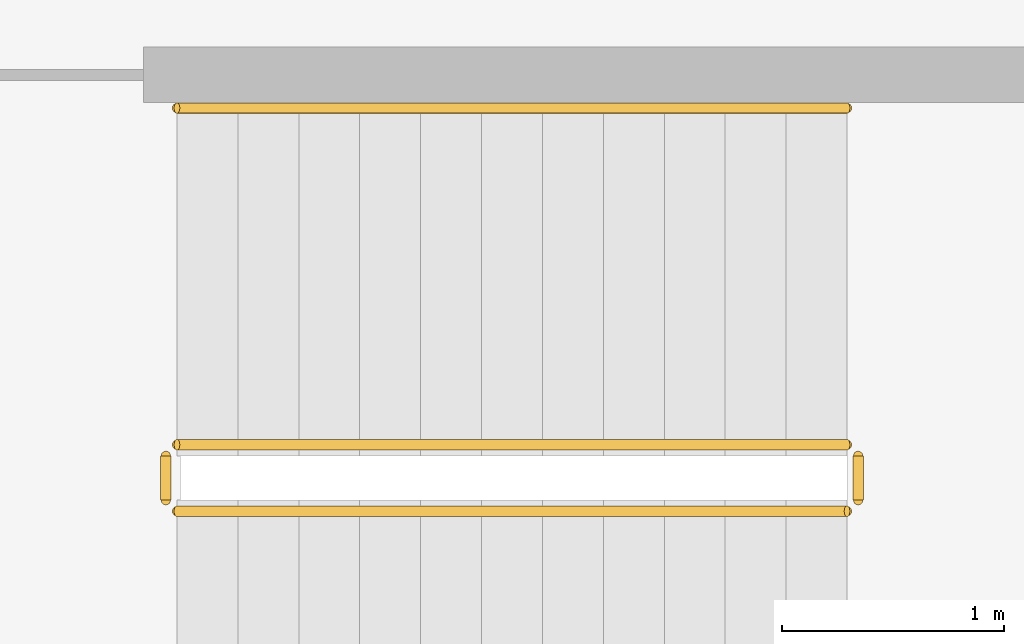
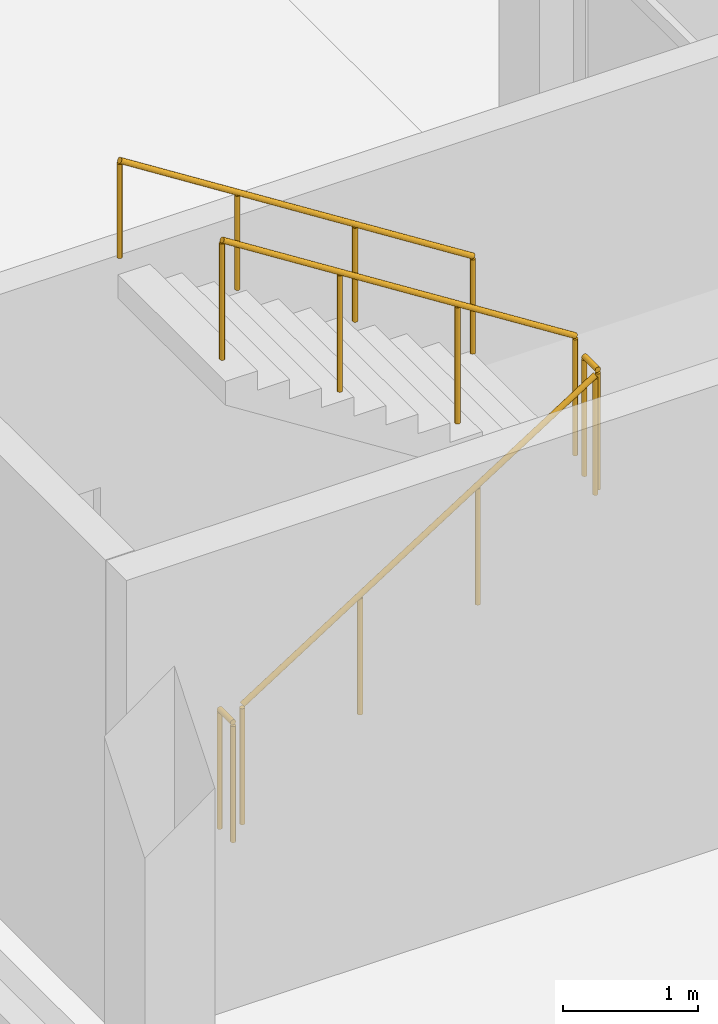
# One storey, part 129 of 137: 5 railings.
"""IFC4 building model written with IfcOpenShell, lengths in metres."""

from ifc_helpers import new_model, si_unit, direction, frame, origin, origin_2d, place, context, subcontext, project, spatial, circle, extrude, material, type_object, element, save


model = new_model("IFC4")

# Units and contexts
model_context = context("Model", 3, precision=1e-05, world=origin(), true_north=direction((0.0, 1.0)))
body_context = subcontext(model_context, "Body", "Model", "MODEL_VIEW")
ifc_project = project(units=[si_unit("LENGTHUNIT", "METRE"), si_unit("AREAUNIT", "SQUARE_METRE"), si_unit("VOLUMEUNIT", "CUBIC_METRE"), si_unit("PLANEANGLEUNIT", "RADIAN"), si_unit("MASSUNIT", "GRAM", prefix="KILO")], contexts=[model_context])

# Site, building, storey
site_placement = place(None, origin())
site = spatial("IfcSite", under=ifc_project, at=site_placement, CompositionType="ELEMENT")
building_placement = place(site_placement, origin())
building = spatial("IfcBuilding", under=site, at=building_placement, Name="Jelvoka-Kovrelna Polytechnic", CompositionType="ELEMENT")
storey_placement = place(building_placement, frame((0.0, 0.0, 9.60009765625)))
storey = spatial("IfcBuildingStorey", under=building, at=storey_placement, Name="L03", CompositionType="ELEMENT", Elevation=9.60009765625)

# Railings
ifc_material_1 = material(Name="Powder-coated steel stair guard", Category="steel")
railing_type_1 = type_object("IfcRailingType", Name="Railing_Stair_Guard_1100", PredefinedType="GUARDRAIL", material=ifc_material_1)
railing_1_placement = place(storey_placement, frame((50.25, 26.669921875, 0.1748046875)))
element("IfcRailing", 1, at=railing_1_placement, inside=storey, type_object=railing_type_1, Name="L03 ST03 stair guard 1", PredefinedType="GUARDRAIL", context=body_context, shape_type="SweptSolid", body=[
    extrude(circle(Radius=0.02392578125, at=origin_2d()), frame((0.0, 0.0, 1.076171875), z_axis=(0.84364746871, 0.0, 0.536897521451), x_axis=(0.0, 1.0, 0.0)), (0.0, 0.0, 1.0), 3.58544921875),
    extrude(circle(Radius=0.02099609375, at=origin_2d()), origin(), (0.0, 0.0, 1.0), 1.052001953125),
    extrude(circle(Radius=0.02099609375, at=origin_2d()), frame((1.00830078125, 0.0, 0.6416015625)), (0.0, 0.0, 1.0), 1.052001953125),
    extrude(circle(Radius=0.02099609375, at=origin_2d()), frame((2.0166015625, 0.0, 1.283447265625)), (0.0, 0.0, 1.0), 1.052001953125),
    extrude(circle(Radius=0.02099609375, at=origin_2d()), frame((3.02490234375, 0.0, 1.925048828125)), (0.0, 0.0, 1.0), 1.052001953125),
])
railing_2_placement = place(storey_placement, frame((53.324951171875, 26.719970703125, 2.099853515625)))
element("IfcRailing", 2, at=railing_2_placement, inside=storey, type_object=railing_type_1, Name="L03 ST03 stair guard 2", PredefinedType="GUARDRAIL", context=body_context, shape_type="SweptSolid", body=[
    extrude(circle(Radius=0.02392578125, at=origin_2d()), frame((0.0, 0.0, 1.076171875), z_axis=(0.0, 1.0, 0.0), x_axis=(-1.0, 0.0, 0.0)), (0.0, 0.0, 1.0), 0.199951171875),
    extrude(circle(Radius=0.02099609375, at=origin_2d()), origin(), (0.0, 0.0, 1.0), 1.052001953125),
    extrude(circle(Radius=0.02099609375, at=origin_2d()), frame((0.0, 0.199951171875, 0.0)), (0.0, 0.0, 1.0), 1.052001953125),
])
railing_3_placement = place(storey_placement, frame((53.27490234375, 26.969970703125, 2.27490234375)))
element("IfcRailing", 3, at=railing_3_placement, inside=storey, type_object=railing_type_1, Name="L03 ST03 stair guard 3", PredefinedType="GUARDRAIL", context=body_context, shape_type="SweptSolid", body=[
    extrude(circle(Radius=0.02392578125, at=origin_2d()), frame((0.0, 0.0, 1.076171875), z_axis=(-0.84364746871, 0.0, 0.536897521451), x_axis=(0.0, -1.0, 0.0)), (0.0, 0.0, 1.0), 3.58544921875),
    extrude(circle(Radius=0.02099609375, at=origin_2d()), origin(), (0.0, 0.0, 1.0), 1.052001953125),
    extrude(circle(Radius=0.02099609375, at=origin_2d()), frame((-1.00830078125, 0.0, 0.6416015625)), (0.0, 0.0, 1.0), 1.052001953125),
    extrude(circle(Radius=0.02099609375, at=origin_2d()), frame((-2.0166015625, 0.0, 1.283447265625)), (0.0, 0.0, 1.0), 1.052001953125),
    extrude(circle(Radius=0.02099609375, at=origin_2d()), frame((-3.02490234375, 0.0, 1.925048828125)), (0.0, 0.0, 1.0), 1.052001953125),
])
railing_4_placement = place(storey_placement, frame((50.199951171875, 26.719970703125, 0.0)))
element("IfcRailing", 4, at=railing_4_placement, inside=storey, type_object=railing_type_1, Name="L03 ST03 stair guard 4", PredefinedType="GUARDRAIL", context=body_context, shape_type="SweptSolid", body=[
    extrude(circle(Radius=0.02392578125, at=origin_2d()), frame((0.0, 0.0, 1.076171875), z_axis=(0.0, 1.0, 0.0), x_axis=(-1.0, 0.0, 0.0)), (0.0, 0.0, 1.0), 0.199951171875),
    extrude(circle(Radius=0.02099609375, at=origin_2d()), origin(), (0.0, 0.0, 1.0), 1.052001953125),
    extrude(circle(Radius=0.02099609375, at=origin_2d()), frame((0.0, 0.199951171875, 0.0)), (0.0, 0.0, 1.0), 1.052001953125),
])
ifc_material_2 = material(Name="Brushed stainless steel handrail", Category="steel")
railing_type_2 = type_object("IfcRailingType", Name="Railing_Stair_Handrail_900", PredefinedType="HANDRAIL", material=ifc_material_2)
railing_5_placement = place(storey_placement, frame((53.27490234375, 28.489990234375, 2.27490234375)))
element("IfcRailing", 5, at=railing_5_placement, inside=storey, type_object=railing_type_2, Name="L03 ST03 stair handrail 2", PredefinedType="HANDRAIL", context=body_context, shape_type="SweptSolid", body=[
    extrude(circle(Radius=0.02392578125, at=origin_2d()), frame((0.0, 0.0, 0.8759765625), z_axis=(-0.84364746871, 0.0, 0.536897521451), x_axis=(0.0, -1.0, 0.0)), (0.0, 0.0, 1.0), 3.58544921875),
    extrude(circle(Radius=0.02099609375, at=origin_2d()), origin(), (0.0, 0.0, 1.0), 0.851806640625),
    extrude(circle(Radius=0.02099609375, at=origin_2d()), frame((-1.00830078125, 0.0, 0.6416015625)), (0.0, 0.0, 1.0), 0.851806640625),
    extrude(circle(Radius=0.02099609375, at=origin_2d()), frame((-2.0166015625, 0.0, 1.283447265625)), (0.0, 0.0, 1.0), 0.851806640625),
    extrude(circle(Radius=0.02099609375, at=origin_2d()), frame((-3.02490234375, 0.0, 1.925048828125)), (0.0, 0.0, 1.0), 0.851806640625),
])

save(model, "model.ifc")
